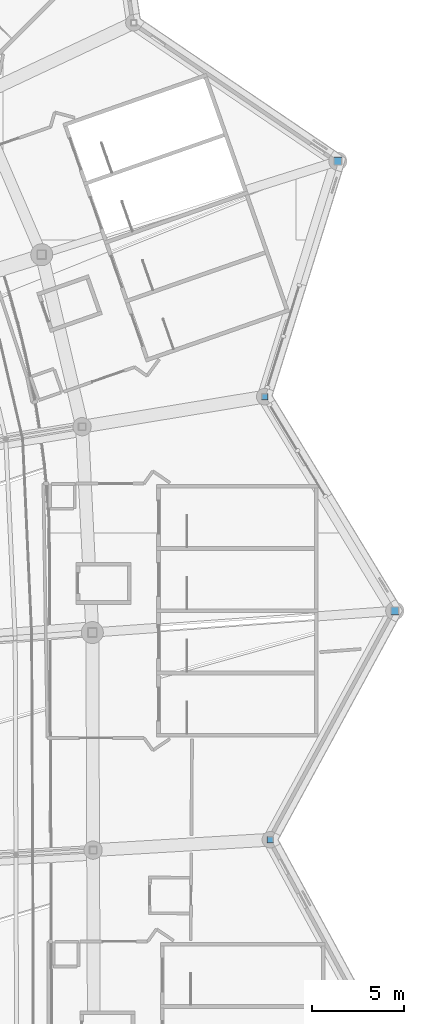
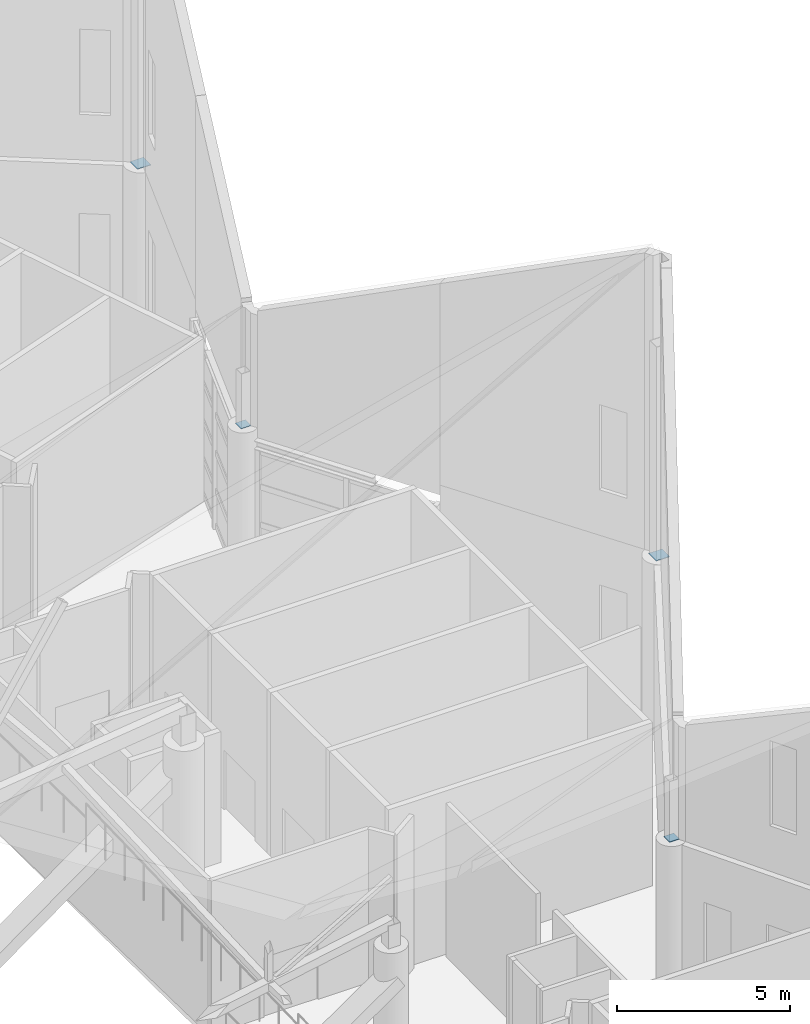
# One storey, part 335 of 344: 4 discrete accessories.
"""IFC4 building model written with IfcOpenShell, lengths in metres."""

from ifc_helpers import new_model, si_unit, direction, frame, origin, origin_2d, place, context, subcontext, project, spatial, rectangle, extrude, material, material_profile, profile_set, type_object, element, save


model = new_model("IFC4")

# Units and contexts
model_context = context("Model", 3, precision=1e-05, world=origin(), true_north=direction((0.0, 1.0)))
body_context = subcontext(model_context, "Body", "Model", "MODEL_VIEW")
ifc_project = project(units=[si_unit("LENGTHUNIT", "METRE"), si_unit("AREAUNIT", "SQUARE_METRE"), si_unit("VOLUMEUNIT", "CUBIC_METRE"), si_unit("PLANEANGLEUNIT", "RADIAN"), si_unit("MASSUNIT", "GRAM", prefix="KILO")], contexts=[model_context])

# Site, building, storey
site_placement = place(None, origin())
site = spatial("IfcSite", under=ifc_project, at=site_placement, CompositionType="ELEMENT")
building_placement = place(site_placement, origin())
building = spatial("IfcBuilding", under=site, at=building_placement, Name="Meseta Stadium", CompositionType="ELEMENT")
storey_placement = place(building_placement, frame((0.0, 0.0, 24.0)))
storey = spatial("IfcBuildingStorey", under=building, at=storey_placement, Name="L04", CompositionType="ELEMENT", Elevation=24.0)

# Discrete accessories
ifc_material_1 = material(Name="Steel S355", Category="steel")
ifc_material_profile_1 = material_profile(ifc_material_1, rectangle(XDim=0.340087890625, YDim=0.340087890625, at=origin_2d()), Name="PL 340x340")
ifc_profile_set_1 = profile_set([ifc_material_profile_1], Name="Steel S355")
discrete_accessory_type_1 = type_object("IfcDiscreteAccessoryType", Name="End plate 340x340x20", PredefinedType="ANCHORPLATE", material=ifc_profile_set_1)
for number, where, z_axis, x_axis, name in (
    (1, (94.60009765625, 31.25, 5.97998046875), (0.0, 0.0, 1.0), (1.0, 0.0, 0.0), "End plate of ROOF RIM POST RT-07"),
    (2, (94.29443359375, 55.44140625, 5.97998046875), (0.0, 0.0, 1.0), (1.0, 0.0, 0.0), "End plate of ROOF RIM POST RT-09"),
):
    element("IfcDiscreteAccessory", number, at=place(storey_placement, frame(where, z_axis=z_axis, x_axis=x_axis)), inside=storey, type_object=discrete_accessory_type_1, Name=name, PredefinedType="ANCHORPLATE", context=body_context, shape_type="SweptSolid", body=[
        extrude(rectangle(XDim=0.340087890625, YDim=0.340087890625, at=origin_2d()), origin(), (0.0, 0.0, 1.0), 0.02001953125),
    ])
ifc_material_2 = material(Name="Steel S355", Category="steel")
ifc_material_profile_2 = material_profile(ifc_material_2, rectangle(XDim=0.43994140625, YDim=0.43994140625, at=origin_2d()), Name="PL 440x440")
ifc_profile_set_2 = profile_set([ifc_material_profile_2], Name="Steel S355")
discrete_accessory_type_2 = type_object("IfcDiscreteAccessoryType", Name="End plate 440x440x20", PredefinedType="ANCHORPLATE", material=ifc_profile_set_2)
for number, where, z_axis, x_axis, name in (
    (3, (101.39990234375, 43.75, 5.97998046875), (0.0, 0.0, 1.0), (1.0, 0.0, 0.0), "End plate of ROOF RIM POST RT-08"),
    (4, (98.291015625, 68.29736328125, 5.97998046875), (0.0, 0.0, 1.0), (1.0, 0.0, 0.0), "End plate of ROOF RIM POST RT-10"),
):
    element("IfcDiscreteAccessory", number, at=place(storey_placement, frame(where, z_axis=z_axis, x_axis=x_axis)), inside=storey, type_object=discrete_accessory_type_2, Name=name, PredefinedType="ANCHORPLATE", context=body_context, shape_type="SweptSolid", body=[
        extrude(rectangle(XDim=0.43994140625, YDim=0.43994140625, at=origin_2d()), origin(), (0.0, 0.0, 1.0), 0.02001953125),
    ])

save(model, "model.ifc")
